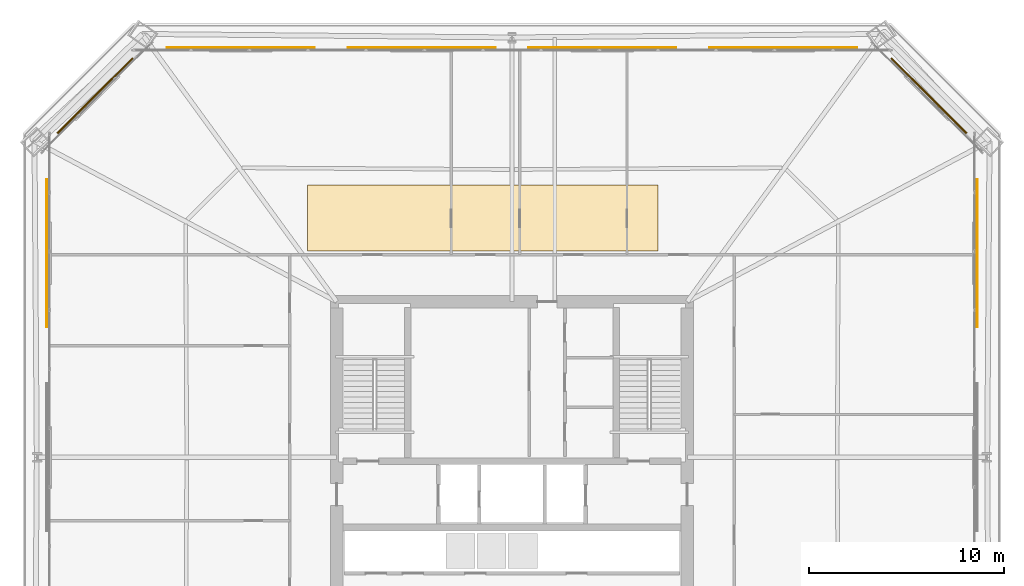
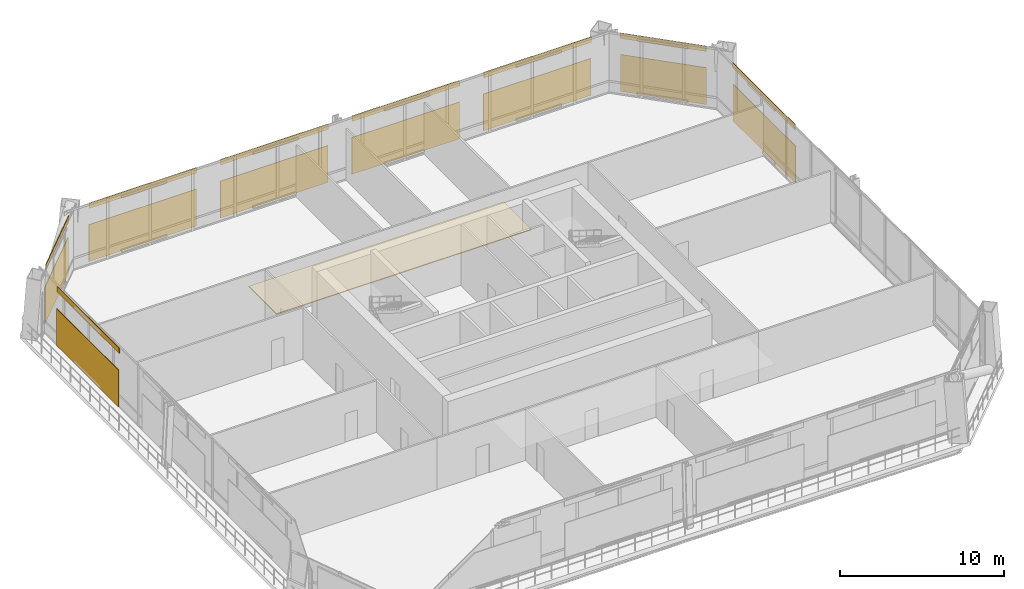
# One storey, part 47 of 48: 9 coverings, 8 shading devices.
"""IFC4 building model written with IfcOpenShell, lengths in metres."""

from ifc_helpers import new_model, si_unit, direction, frame, origin, origin_2d, place, context, subcontext, project, spatial, polyline, rectangle, outline, extrude, material, layer, layer_set, type_object, element, save


model = new_model("IFC4")

# Units and contexts
model_context = context("Model", 3, precision=1e-05, world=origin(), true_north=direction((0.0, 1.0)))
body_context = subcontext(model_context, "Body", "Model", "MODEL_VIEW")
ifc_project = project(units=[si_unit("LENGTHUNIT", "METRE"), si_unit("AREAUNIT", "SQUARE_METRE"), si_unit("VOLUMEUNIT", "CUBIC_METRE"), si_unit("PLANEANGLEUNIT", "RADIAN"), si_unit("MASSUNIT", "GRAM", prefix="KILO")], contexts=[model_context])

# Site, building, storey
site_placement = place(None, origin())
site = spatial("IfcSite", under=ifc_project, at=site_placement, CompositionType="ELEMENT")
building_placement = place(site_placement, origin())
building = spatial("IfcBuilding", under=site, at=building_placement, Name="Caelvoria Tower", CompositionType="ELEMENT")
storey_placement = place(building_placement, frame((0.0, 0.0, 90.39990234375)))
storey = spatial("IfcBuildingStorey", under=building, at=storey_placement, Name="L23", CompositionType="ELEMENT", Elevation=90.39990234375)

# Coverings
ifc_material_1 = material(Name="Perforated Architectural Bronze Cladding Screen", Category="bronze")
ifc_layer_1 = layer(ifc_material_1, 0.0400390625, Name="Perforated Architectural Bronze Cladding Screen")
ifc_layer_set_1 = layer_set([ifc_layer_1], Name="Perforated Bronze Louvre Cladding Band 40 - Perforated Architectural Bronze Cladding Screen")
covering_type_1 = type_object("IfcCoveringType", Name="Perforated Bronze Louvre Cladding Band 40", PredefinedType="CLADDING", material=ifc_layer_set_1)
covering_1_placement = place(storey_placement, frame((69.838623046875, 42.489013671875, 4.14013671875), z_axis=(0.0, 0.0, 1.0), x_axis=(0.0, 1.0, 0.0)))
element("IfcCovering", 1, at=covering_1_placement, inside=storey, type_object=covering_type_1, Name="Perforated Bronze Screen Band L23-E2-02", PredefinedType="CLADDING", context=body_context, shape_type="SweptSolid", body=[
    extrude(rectangle(XDim=7.60009765625, YDim=0.0400390625, at=origin_2d()), origin(), (0.0, 0.0, 1.0), 0.39990234375),
])
covering_2_placement = place(storey_placement, frame((67.387939453125, 50.5546875, 4.14013671875), z_axis=(0.0, 0.0, 1.0), x_axis=(-0.707106781187, 0.707106781187, 0.0)))
element("IfcCovering", 2, at=covering_2_placement, inside=storey, type_object=covering_type_1, Name="Perforated Bronze Screen Band L23-E3-00", PredefinedType="CLADDING", context=body_context, shape_type="SweptSolid", body=[
    extrude(rectangle(XDim=5.447509765625, YDim=0.0400390625, at=origin_2d()), origin(), (0.0, 0.0, 1.0), 0.39990234375),
])
for number, where, z_axis, x_axis, name in (
    (3, (59.925048828125, 53.00537109375, 4.14013671875), (0.0, 0.0, 1.0), (-1.0, 0.0, 0.0), "Perforated Bronze Screen Band L23-E4-00"),
    (4, (50.6416015625, 53.00537109375, 4.14013671875), (0.0, 0.0, 1.0), (-1.0, 0.0, 0.0), "Perforated Bronze Screen Band L23-E4-01"),
    (5, (41.3583984375, 53.00537109375, 4.14013671875), (0.0, 0.0, 1.0), (-1.0, 0.0, 0.0), "Perforated Bronze Screen Band L23-E4-02"),
    (6, (32.074951171875, 53.00537109375, 4.14013671875), (0.0, 0.0, 1.0), (-1.0, 0.0, 0.0), "Perforated Bronze Screen Band L23-E4-03"),
):
    element("IfcCovering", number, at=place(storey_placement, frame(where, z_axis=z_axis, x_axis=x_axis)), inside=storey, type_object=covering_type_1, Name=name, PredefinedType="CLADDING", context=body_context, shape_type="SweptSolid", body=[
        extrude(rectangle(XDim=7.60009765625, YDim=0.0400390625, at=origin_2d()), origin(), (0.0, 0.0, 1.0), 0.39990234375),
    ])
covering_3_placement = place(storey_placement, frame((24.612060546875, 50.5546875, 4.14013671875), z_axis=(0.0, 0.0, 1.0), x_axis=(-0.707106781187, -0.707106781187, 0.0)))
element("IfcCovering", 7, at=covering_3_placement, inside=storey, type_object=covering_type_1, Name="Perforated Bronze Screen Band L23-E5-00", PredefinedType="CLADDING", context=body_context, shape_type="SweptSolid", body=[
    extrude(rectangle(XDim=5.447509765625, YDim=0.0400390625, at=origin_2d()), origin(), (0.0, 0.0, 1.0), 0.39990234375),
])
covering_4_placement = place(storey_placement, frame((22.161376953125, 42.489013671875, 4.14013671875), z_axis=(0.0, 0.0, 1.0), x_axis=(0.0, -1.0, 0.0)))
element("IfcCovering", 8, at=covering_4_placement, inside=storey, type_object=covering_type_1, Name="Perforated Bronze Screen Band L23-E6-00", PredefinedType="CLADDING", context=body_context, shape_type="SweptSolid", body=[
    extrude(rectangle(XDim=7.60009765625, YDim=0.0400390625, at=origin_2d()), origin(), (0.0, 0.0, 1.0), 0.39990234375),
])

# Shading devices
ifc_material_2 = material(Name="Perforated Architectural Bronze Alloy Panel", Category="bronze")
ifc_layer_2 = layer(ifc_material_2, 0.044921875, Name="Perforated Architectural Bronze Alloy Panel")
ifc_layer_set_2 = layer_set([ifc_layer_2], Name="Perforated Bronze Solar Screen Panel SCREEN - Perforated Architectural Bronze Alloy Panel")
shading_device_type = type_object("IfcShadingDeviceType", Name="Perforated Bronze Solar Screen Panel SCREEN", PredefinedType="USERDEFINED", material=ifc_layer_set_2)
shading_device_1_placement = place(storey_placement, frame((69.881591796875, 42.489013671875, 0.16015625), z_axis=(0.0, 0.0, 1.0), x_axis=(0.0, 1.0, 0.0)))
element("IfcShadingDevice", 9, at=shading_device_1_placement, inside=storey, type_object=shading_device_type, Name="Perforated Bronze Solar Screen L23-E2-02", ObjectType="SCREEN", PredefinedType="USERDEFINED", context=body_context, shape_type="SweptSolid", body=[
    extrude(rectangle(XDim=7.60009765625, YDim=0.044921875, at=origin_2d()), origin(), (0.0, 0.0, 1.0), 2.75),
])
shading_device_2_placement = place(storey_placement, frame((67.41845703125, 50.5849609375, 0.16015625), z_axis=(0.0, 0.0, 1.0), x_axis=(-0.707106781187, 0.707106781187, 0.0)))
element("IfcShadingDevice", 10, at=shading_device_2_placement, inside=storey, type_object=shading_device_type, Name="Perforated Bronze Solar Screen L23-E3-00", ObjectType="SCREEN", PredefinedType="USERDEFINED", context=body_context, shape_type="SweptSolid", body=[
    extrude(rectangle(XDim=5.447509765625, YDim=0.044921875, at=origin_2d()), origin(), (0.0, 0.0, 1.0), 2.75),
])
for number, where, z_axis, x_axis, name in (
    (11, (59.925048828125, 53.04833984375, 0.16015625), (0.0, 0.0, 1.0), (-1.0, 0.0, 0.0), "Perforated Bronze Solar Screen L23-E4-00"),
    (12, (50.6416015625, 53.04833984375, 0.16015625), (0.0, 0.0, 1.0), (-1.0, 0.0, 0.0), "Perforated Bronze Solar Screen L23-E4-01"),
    (13, (41.3583984375, 53.04833984375, 0.16015625), (0.0, 0.0, 1.0), (-1.0, 0.0, 0.0), "Perforated Bronze Solar Screen L23-E4-02"),
    (14, (32.074951171875, 53.04833984375, 0.16015625), (0.0, 0.0, 1.0), (-1.0, 0.0, 0.0), "Perforated Bronze Solar Screen L23-E4-03"),
):
    element("IfcShadingDevice", number, at=place(storey_placement, frame(where, z_axis=z_axis, x_axis=x_axis)), inside=storey, type_object=shading_device_type, Name=name, ObjectType="SCREEN", PredefinedType="USERDEFINED", context=body_context, shape_type="SweptSolid", body=[
        extrude(rectangle(XDim=7.60009765625, YDim=0.044921875, at=origin_2d()), origin(), (0.0, 0.0, 1.0), 2.75),
    ])
shading_device_3_placement = place(storey_placement, frame((24.58154296875, 50.5849609375, 0.16015625), z_axis=(0.0, 0.0, 1.0), x_axis=(-0.707106781187, -0.707106781187, 0.0)))
element("IfcShadingDevice", 15, at=shading_device_3_placement, inside=storey, type_object=shading_device_type, Name="Perforated Bronze Solar Screen L23-E5-00", ObjectType="SCREEN", PredefinedType="USERDEFINED", context=body_context, shape_type="SweptSolid", body=[
    extrude(rectangle(XDim=5.447509765625, YDim=0.044921875, at=origin_2d()), origin(), (0.0, 0.0, 1.0), 2.75),
])
shading_device_4_placement = place(storey_placement, frame((22.118408203125, 42.489013671875, 0.16015625), z_axis=(0.0, 0.0, 1.0), x_axis=(0.0, -1.0, 0.0)))
element("IfcShadingDevice", 16, at=shading_device_4_placement, inside=storey, type_object=shading_device_type, Name="Perforated Bronze Solar Screen L23-E6-00", ObjectType="SCREEN", PredefinedType="USERDEFINED", context=body_context, shape_type="SweptSolid", body=[
    extrude(rectangle(XDim=7.60009765625, YDim=0.044921875, at=origin_2d()), origin(), (0.0, 0.0, 1.0), 2.75),
])

# Covering
ifc_material_3 = material(Name="Calcium-Sulphate Raised Floor Tile", Category="gypsum")
ifc_layer_3 = layer(ifc_material_3, 0.06005859375, Name="Calcium-Sulphate Raised Floor Tile")
ifc_layer_set_3 = layer_set([ifc_layer_3], Name="Raised Access Office Floor System 120 - Calcium-Sulphate Raised Floor Tile")
covering_type_2 = type_object("IfcCoveringType", Name="Raised Access Office Floor System 120", PredefinedType="FLOORING", material=ifc_layer_set_3)
covering_5_placement = place(storey_placement, origin())
element("IfcCovering", 17, at=covering_5_placement, inside=storey, type_object=covering_type_2, Name="Raised Access Flooring L23", PredefinedType="FLOORING", context=body_context, shape_type="SweptSolid", body=[
    extrude(outline(polyline([(35.5, 42.60009765625), (53.5, 42.60009765625), (53.5, 46.0), (35.5, 46.0), (35.5, 42.60009765625)])), origin(), (0.0, 0.0, 1.0), 0.06005859375),
])

save(model, "model.ifc")
